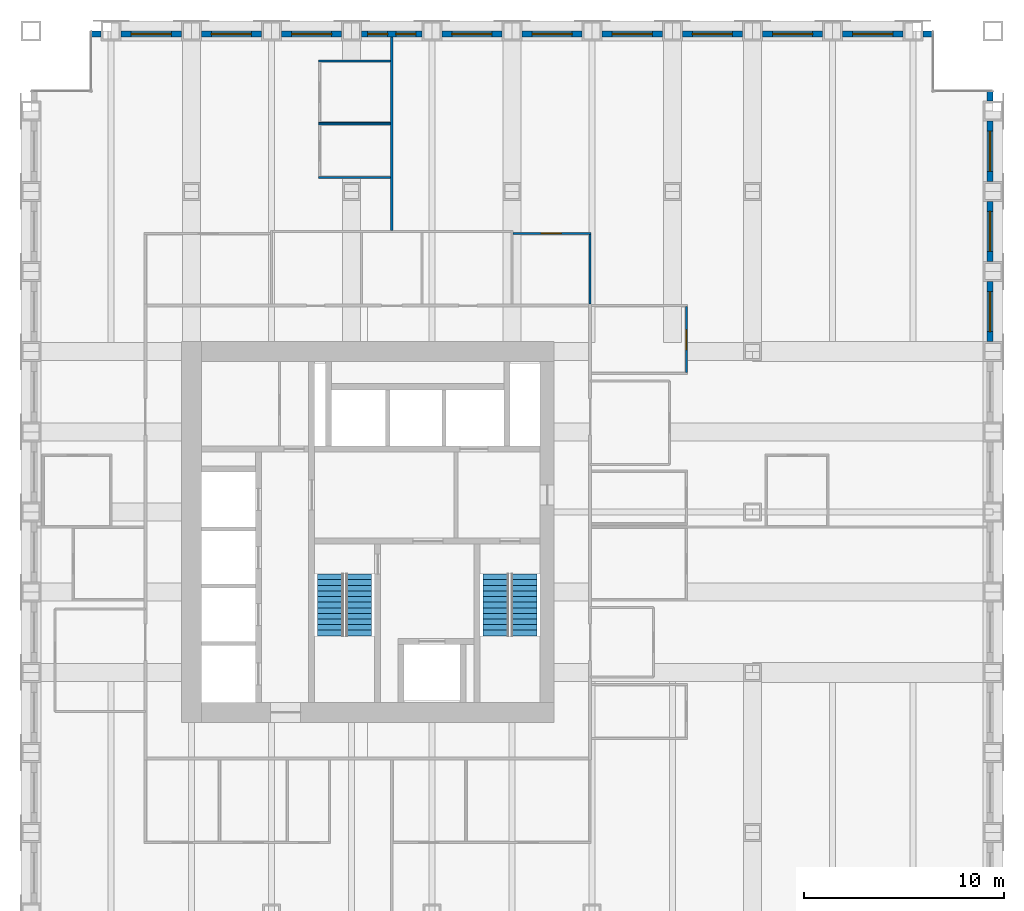
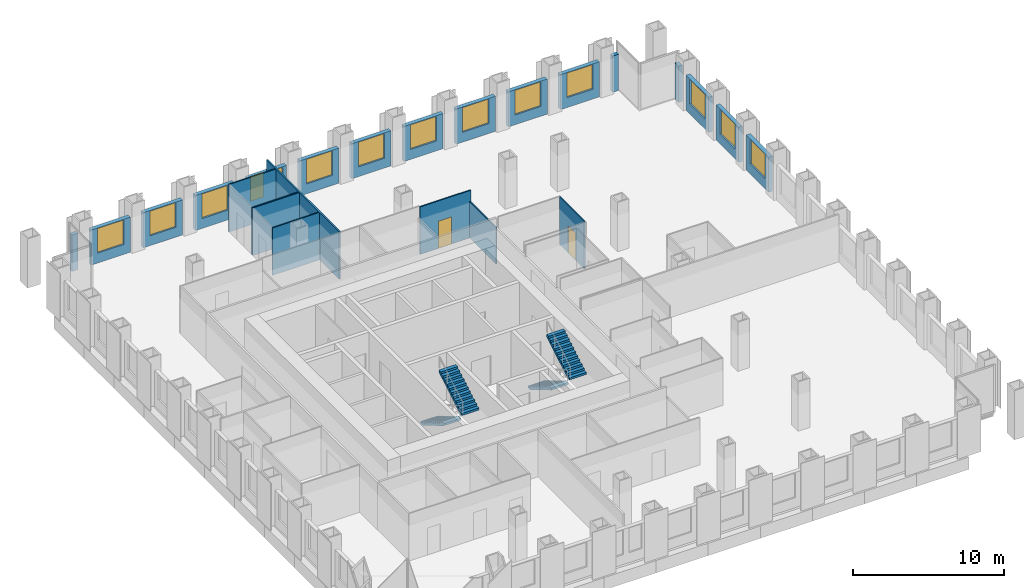
# One storey, part 14 of 16: 24 walls, 14 windows, 4 stair flights, 2 doors, 16 openings, 2 elements without a shape of their own.
"""IFC4 building model written with IfcOpenShell, lengths in metres."""

from ifc_helpers import new_model, si_unit, direction, frame, frame_2d, origin, place, context, subcontext, project, spatial, polyline, rectangle, outline, extrude, material, layer, layer_set, type_object, element, fill, aggregate, save


model = new_model("IFC4")

# Units and contexts
model_context = context("Model", 3, precision=1e-05, world=origin(), true_north=direction((0.0, 1.0)))
body_context = subcontext(model_context, "Body", "Model", "MODEL_VIEW")
ifc_project = project(units=[si_unit("LENGTHUNIT", "METRE"), si_unit("AREAUNIT", "SQUARE_METRE"), si_unit("VOLUMEUNIT", "CUBIC_METRE"), si_unit("PLANEANGLEUNIT", "RADIAN"), si_unit("MASSUNIT", "GRAM", prefix="KILO")], contexts=[model_context])

# Site, building, storey
site_placement = place(None, origin())
site = spatial("IfcSite", under=ifc_project, at=site_placement, CompositionType="ELEMENT")
building_placement = place(site_placement, origin())
building = spatial("IfcBuilding", under=site, at=building_placement, Name="Rimbunsela Tower", CompositionType="ELEMENT")
storey_placement = place(building_placement, frame((0.0, 0.0, 121.39990234375)))
storey = spatial("IfcBuildingStorey", under=building, at=storey_placement, Name="L29", CompositionType="ELEMENT", Elevation=121.39990234375)

# Wall, opening, door
ifc_material_1 = material(Name="Gypsum board on steel studs", Category="steel")
ifc_layer_1 = layer(ifc_material_1, 0.10009765625)
ifc_layer_set_1 = layer_set([ifc_layer_1], Name="Office partition 100")
wall_type_1 = type_object("IfcWallType", Name="Office partition 100", PredefinedType="PARTITIONING", material=ifc_layer_set_1)
wall_1_placement = place(storey_placement, frame((34.050048828125, 41.89990234375, 0.0), z_axis=(0.0, 0.0, 1.0), x_axis=(1.0, 0.0, 0.0)))
wall_1 = element("IfcWall", 1, at=wall_1_placement, inside=storey, type_object=wall_type_1, Name="Office partition", PredefinedType="PARTITIONING", context=body_context, shape_type="SweptSolid", body=[
    extrude(rectangle(XDim=3.89990234375, YDim=0.10009765625, at=frame_2d((1.949951171875, 0.0))), origin(), (0.0, 0.0, 1.0), 3.85009765625),
])
opening_1_placement = place(wall_1_placement, frame((1.39990234375, 0.0, 0.0)))
opening_1 = element("IfcOpeningElement", 2, at=opening_1_placement, cuts=wall_1, Name="Opening D17", PredefinedType="OPENING", context=body_context, shape_type="SweptSolid", body=[
    extrude(rectangle(XDim=1.0, YDim=2.199951171875, at=frame_2d((0.5, 1.10009765625))), frame((0.0, 0.06005859375, 0.0), z_axis=(0.0, -1.0, 0.0), x_axis=(1.0, 0.0, 0.0)), (0.0, 0.0, 1.0), 0.1201171875),
])
ifc_material_2 = material(Name="Glazed aluminium door", Category="aluminium")
door_type_1 = type_object("IfcDoorType", Name="Meeting room door 1000 glazed", OperationType="SINGLE_SWING_RIGHT", PredefinedType="DOOR", material=ifc_material_2)
door_1_placement = place(opening_1_placement, origin())
door_1 = element("IfcDoor", 3, at=door_1_placement, inside=storey, type_object=door_type_1, Name="Meeting room door", OperationType="SINGLE_SWING_RIGHT", OverallHeight=2.199951171875, OverallWidth=1.0, PredefinedType="DOOR", context=body_context, shape_type="SweptSolid", body=[
    extrude(rectangle(XDim=1.0, YDim=2.199951171875, at=frame_2d((0.5, 1.10009765625))), frame((0.0, 0.02490234375, 0.0), z_axis=(0.0, -1.0, 0.0), x_axis=(1.0, 0.0, 0.0)), (0.0, 0.0, 1.0), 0.050048828125),
])
fill(opening_1, door_1)

# Walls
for number, where, z_axis, x_axis, name in (
    (4, (24.35009765625, 44.699951171875, 0.0), (0.0, 0.0, 1.0), (1.0, 0.0, 0.0), "Office partition"),
    (5, (24.35009765625, 47.35009765625, 0.0), (0.0, 0.0, 1.0), (1.0, 0.0, 0.0), "Office partition"),
    (6, (24.35009765625, 47.39990234375, 0.0), (0.0, 0.0, 1.0), (1.0, 0.0, 0.0), "Office partition"),
    (7, (24.35009765625, 50.5, 0.0), (0.0, 0.0, 1.0), (1.0, 0.0, 0.0), "Office partition"),
):
    element("IfcWall", number, at=place(storey_placement, frame(where, z_axis=z_axis, x_axis=x_axis)), inside=storey, type_object=wall_type_1, Name=name, PredefinedType="PARTITIONING", context=body_context, shape_type="SweptSolid", body=[
        extrude(rectangle(XDim=3.58984375, YDim=0.10009765625, at=frame_2d((1.794921875, 0.0))), origin(), (0.0, 0.0, 1.0), 3.85009765625),
    ])
wall_2_placement = place(storey_placement, frame((37.89990234375, 38.375, 0.0), z_axis=(0.0, 0.0, 1.0), x_axis=(0.0, 1.0, 0.0)))
element("IfcWall", 8, at=wall_2_placement, inside=storey, type_object=wall_type_1, Name="Office partition", PredefinedType="PARTITIONING", context=body_context, shape_type="SweptSolid", body=[
    extrude(rectangle(XDim=3.47509765625, YDim=0.10009765625, at=frame_2d((1.737548828125, 0.0))), origin(), (0.0, 0.0, 1.0), 2.9501953125),
])

# Wall, opening, door
wall_3_placement = place(storey_placement, frame((42.699951171875, 34.949951171875, 0.0), z_axis=(0.0, 0.0, 1.0), x_axis=(0.0, 1.0, 0.0)))
wall_3 = element("IfcWall", 9, at=wall_3_placement, inside=storey, type_object=wall_type_1, Name="Office partition", PredefinedType="PARTITIONING", context=body_context, shape_type="SweptSolid", body=[
    extrude(rectangle(XDim=3.300048828125, YDim=0.10009765625, at=frame_2d((1.64990234375, 0.0))), origin(), (0.0, 0.0, 1.0), 3.85009765625),
])
opening_2_placement = place(wall_3_placement, frame((1.14990234375, 0.0, 0.0)))
opening_2 = element("IfcOpeningElement", 10, at=opening_2_placement, cuts=wall_3, Name="Opening D16", PredefinedType="OPENING", context=body_context, shape_type="SweptSolid", body=[
    extrude(rectangle(XDim=1.0, YDim=2.199951171875, at=frame_2d((0.5, 1.10009765625))), frame((0.0, 0.06005859375, 0.0), z_axis=(0.0, -1.0, 0.0), x_axis=(1.0, 0.0, 0.0)), (0.0, 0.0, 1.0), 0.1201171875),
])
ifc_material_3 = material(Name="Timber door", Category="wood")
door_type_2 = type_object("IfcDoorType", Name="Office door 1000", OperationType="SINGLE_SWING_LEFT", PredefinedType="DOOR", material=ifc_material_3)
door_2_placement = place(opening_2_placement, origin())
door_2 = element("IfcDoor", 11, at=door_2_placement, inside=storey, type_object=door_type_2, Name="Office door", OperationType="SINGLE_SWING_LEFT", OverallHeight=2.199951171875, OverallWidth=1.0, PredefinedType="DOOR", context=body_context, shape_type="SweptSolid", body=[
    extrude(rectangle(XDim=1.0, YDim=2.199951171875, at=frame_2d((0.5, 1.10009765625))), frame((0.0, 0.02490234375, 0.0), z_axis=(0.0, -1.0, 0.0), x_axis=(1.0, 0.0, 0.0)), (0.0, 0.0, 1.0), 0.050048828125),
])
fill(opening_2, door_2)

# Wall, opening, window
ifc_material_4 = material(Name="Precast concrete fc' 35 MPa", Category="concrete")
ifc_layer_2 = layer(ifc_material_4, 0.300048828125)
ifc_layer_set_2 = layer_set([ifc_layer_2], Name="Precast concrete fc' 35 MPa")
wall_type_2 = type_object("IfcWallType", Name="Precast facade panel 300", PredefinedType="ELEMENTEDWALL", material=ifc_layer_set_2)
wall_4_placement = place(storey_placement, frame((57.85009765625, 36.5, 0.0), z_axis=(0.0, 0.0, 1.0), x_axis=(0.0, 1.0, 0.0)))
wall_4 = element("IfcWall", 12, at=wall_4_placement, inside=storey, type_object=wall_type_2, Name="Facade panel E L29", PredefinedType="ELEMENTEDWALL", context=body_context, shape_type="SweptSolid", body=[
    extrude(rectangle(XDim=3.0, YDim=0.300048828125, at=frame_2d((1.5, 0.0))), origin(), (0.0, 0.0, 1.0), 2.85009765625),
])
opening_3_placement = place(wall_4_placement, frame((0.5, 0.0, 0.800048828125)))
opening_3 = element("IfcOpeningElement", 13, at=opening_3_placement, cuts=wall_4, Name="Opening W1", PredefinedType="OPENING", context=body_context, shape_type="SweptSolid", body=[
    extrude(rectangle(XDim=2.0, YDim=2.0, at=frame_2d((1.0, 1.0))), frame((0.0, 0.159912109375, 0.0), z_axis=(0.0, -1.0, 0.0), x_axis=(1.0, 0.0, 0.0)), (0.0, 0.0, 1.0), 0.320068359375),
])
ifc_material_5 = material(Name="Clear glass in aluminium frame", Category="aluminium")
window_type_1 = type_object("IfcWindowType", Name="Window W1 2000x2000", PartitioningType="DOUBLE_PANEL_VERTICAL", PredefinedType="WINDOW", material=ifc_material_5)
window_1_placement = place(opening_3_placement, origin())
window_1 = element("IfcWindow", 14, at=window_1_placement, inside=storey, type_object=window_type_1, Name="Window L29", OverallHeight=2.0, OverallWidth=2.0, PartitioningType="SINGLE_PANEL", PredefinedType="WINDOW", context=body_context, shape_type="SweptSolid", body=[
    extrude(rectangle(XDim=2.0, YDim=2.0, at=frame_2d((1.0, 1.0))), frame((0.0, 0.030029296875, 0.0), z_axis=(0.0, -1.0, 0.0), x_axis=(1.0, 0.0, 0.0)), (0.0, 0.0, 1.0), 0.06005859375),
])
fill(opening_3, window_1)

wall_5_placement = place(storey_placement, frame((57.85009765625, 40.5, 0.0), z_axis=(0.0, 0.0, 1.0), x_axis=(0.0, 1.0, 0.0)))
wall_5 = element("IfcWall", 15, at=wall_5_placement, inside=storey, type_object=wall_type_2, Name="Facade panel E L29", PredefinedType="ELEMENTEDWALL", context=body_context, shape_type="SweptSolid", body=[
    extrude(rectangle(XDim=3.0, YDim=0.300048828125, at=frame_2d((1.5, 0.0))), origin(), (0.0, 0.0, 1.0), 2.85009765625),
])
opening_4_placement = place(wall_5_placement, frame((0.5, 0.0, 0.800048828125)))
opening_4 = element("IfcOpeningElement", 16, at=opening_4_placement, cuts=wall_5, Name="Opening W1", PredefinedType="OPENING", context=body_context, shape_type="SweptSolid", body=[
    extrude(rectangle(XDim=2.0, YDim=2.0, at=frame_2d((1.0, 1.0))), frame((0.0, 0.159912109375, 0.0), z_axis=(0.0, -1.0, 0.0), x_axis=(1.0, 0.0, 0.0)), (0.0, 0.0, 1.0), 0.320068359375),
])
window_2_placement = place(opening_4_placement, origin())
window_2 = element("IfcWindow", 17, at=window_2_placement, inside=storey, type_object=window_type_1, Name="Window L29", OverallHeight=2.0, OverallWidth=2.0, PartitioningType="SINGLE_PANEL", PredefinedType="WINDOW", context=body_context, shape_type="SweptSolid", body=[
    extrude(rectangle(XDim=2.0, YDim=2.0, at=frame_2d((1.0, 1.0))), frame((0.0, 0.030029296875, 0.0), z_axis=(0.0, -1.0, 0.0), x_axis=(1.0, 0.0, 0.0)), (0.0, 0.0, 1.0), 0.06005859375),
])
fill(opening_4, window_2)

wall_6_placement = place(storey_placement, frame((57.85009765625, 44.5, 0.0), z_axis=(0.0, 0.0, 1.0), x_axis=(0.0, 1.0, 0.0)))
wall_6 = element("IfcWall", 18, at=wall_6_placement, inside=storey, type_object=wall_type_2, Name="Facade panel E L29", PredefinedType="ELEMENTEDWALL", context=body_context, shape_type="SweptSolid", body=[
    extrude(rectangle(XDim=3.0, YDim=0.300048828125, at=frame_2d((1.5, 0.0))), origin(), (0.0, 0.0, 1.0), 2.85009765625),
])
opening_5_placement = place(wall_6_placement, frame((0.5, 0.0, 0.800048828125)))
opening_5 = element("IfcOpeningElement", 19, at=opening_5_placement, cuts=wall_6, Name="Opening W1", PredefinedType="OPENING", context=body_context, shape_type="SweptSolid", body=[
    extrude(rectangle(XDim=2.0, YDim=2.0, at=frame_2d((1.0, 1.0))), frame((0.0, 0.159912109375, 0.0), z_axis=(0.0, -1.0, 0.0), x_axis=(1.0, 0.0, 0.0)), (0.0, 0.0, 1.0), 0.320068359375),
])
window_3_placement = place(opening_5_placement, origin())
window_3 = element("IfcWindow", 20, at=window_3_placement, inside=storey, type_object=window_type_1, Name="Window L29", OverallHeight=2.0, OverallWidth=2.0, PartitioningType="SINGLE_PANEL", PredefinedType="WINDOW", context=body_context, shape_type="SweptSolid", body=[
    extrude(rectangle(XDim=2.0, YDim=2.0, at=frame_2d((1.0, 1.0))), frame((0.0, 0.030029296875, 0.0), z_axis=(0.0, -1.0, 0.0), x_axis=(1.0, 0.0, 0.0)), (0.0, 0.0, 1.0), 0.06005859375),
])
fill(opening_5, window_3)

# Walls
for number, where, z_axis, x_axis, name in (
    (21, (57.85009765625, 48.5, 0.0), (0.0, 0.0, 1.0), (0.0, 1.0, 0.0), "Facade panel E L29"),
    (22, (13.5, 51.85009765625, 0.0), (0.0, 0.0, 1.0), (-1.0, 0.0, 0.0), "Facade panel N L29"),
):
    element("IfcWall", number, at=place(storey_placement, frame(where, z_axis=z_axis, x_axis=x_axis)), inside=storey, type_object=wall_type_2, Name=name, PredefinedType="ELEMENTEDWALL", context=body_context, shape_type="SweptSolid", body=[
        extrude(rectangle(XDim=0.469970703125, YDim=0.300048828125, at=frame_2d((0.23486328125, 0.0))), origin(), (0.0, 0.0, 1.0), 2.9501953125),
    ])

# Wall, opening, window
wall_7_placement = place(storey_placement, frame((17.5, 51.85009765625, 0.0), z_axis=(0.0, 0.0, 1.0), x_axis=(-1.0, 0.0, 0.0)))
wall_7 = element("IfcWall", 23, at=wall_7_placement, inside=storey, type_object=wall_type_2, Name="Facade panel N L29", PredefinedType="ELEMENTEDWALL", context=body_context, shape_type="SweptSolid", body=[
    extrude(rectangle(XDim=3.0, YDim=0.300048828125, at=frame_2d((1.5, 0.0))), origin(), (0.0, 0.0, 1.0), 2.85009765625),
])
opening_6_placement = place(wall_7_placement, frame((0.5, 0.0, 0.800048828125)))
opening_6 = element("IfcOpeningElement", 24, at=opening_6_placement, cuts=wall_7, Name="Opening W1", PredefinedType="OPENING", context=body_context, shape_type="SweptSolid", body=[
    extrude(rectangle(XDim=2.0, YDim=2.0, at=frame_2d((1.0, 1.0))), frame((0.0, 0.159912109375, 0.0), z_axis=(0.0, -1.0, 0.0), x_axis=(1.0, 0.0, 0.0)), (0.0, 0.0, 1.0), 0.320068359375),
])
window_4_placement = place(opening_6_placement, origin())
window_4 = element("IfcWindow", 25, at=window_4_placement, inside=storey, type_object=window_type_1, Name="Window L29", OverallHeight=2.0, OverallWidth=2.0, PartitioningType="SINGLE_PANEL", PredefinedType="WINDOW", context=body_context, shape_type="SweptSolid", body=[
    extrude(rectangle(XDim=2.0, YDim=2.0, at=frame_2d((1.0, 1.0))), frame((0.0, 0.030029296875, 0.0), z_axis=(0.0, -1.0, 0.0), x_axis=(1.0, 0.0, 0.0)), (0.0, 0.0, 1.0), 0.06005859375),
])
fill(opening_6, window_4)

wall_8_placement = place(storey_placement, frame((21.5, 51.85009765625, 0.0), z_axis=(0.0, 0.0, 1.0), x_axis=(-1.0, 0.0, 0.0)))
wall_8 = element("IfcWall", 26, at=wall_8_placement, inside=storey, type_object=wall_type_2, Name="Facade panel N L29", PredefinedType="ELEMENTEDWALL", context=body_context, shape_type="SweptSolid", body=[
    extrude(rectangle(XDim=3.0, YDim=0.300048828125, at=frame_2d((1.5, 0.0))), origin(), (0.0, 0.0, 1.0), 2.85009765625),
])
opening_7_placement = place(wall_8_placement, frame((0.5, 0.0, 0.800048828125)))
opening_7 = element("IfcOpeningElement", 27, at=opening_7_placement, cuts=wall_8, Name="Opening W1", PredefinedType="OPENING", context=body_context, shape_type="SweptSolid", body=[
    extrude(rectangle(XDim=2.0, YDim=2.0, at=frame_2d((1.0, 1.0))), frame((0.0, 0.159912109375, 0.0), z_axis=(0.0, -1.0, 0.0), x_axis=(1.0, 0.0, 0.0)), (0.0, 0.0, 1.0), 0.320068359375),
])
window_5_placement = place(opening_7_placement, origin())
window_5 = element("IfcWindow", 28, at=window_5_placement, inside=storey, type_object=window_type_1, Name="Window L29", OverallHeight=2.0, OverallWidth=2.0, PartitioningType="SINGLE_PANEL", PredefinedType="WINDOW", context=body_context, shape_type="SweptSolid", body=[
    extrude(rectangle(XDim=2.0, YDim=2.0, at=frame_2d((1.0, 1.0))), frame((0.0, 0.030029296875, 0.0), z_axis=(0.0, -1.0, 0.0), x_axis=(1.0, 0.0, 0.0)), (0.0, 0.0, 1.0), 0.06005859375),
])
fill(opening_7, window_5)

wall_9_placement = place(storey_placement, frame((25.5, 51.85009765625, 0.0), z_axis=(0.0, 0.0, 1.0), x_axis=(-1.0, 0.0, 0.0)))
wall_9 = element("IfcWall", 29, at=wall_9_placement, inside=storey, type_object=wall_type_2, Name="Facade panel N L29", PredefinedType="ELEMENTEDWALL", context=body_context, shape_type="SweptSolid", body=[
    extrude(rectangle(XDim=3.0, YDim=0.300048828125, at=frame_2d((1.5, 0.0))), origin(), (0.0, 0.0, 1.0), 2.85009765625),
])
opening_8_placement = place(wall_9_placement, frame((0.5, 0.0, 0.800048828125)))
opening_8 = element("IfcOpeningElement", 30, at=opening_8_placement, cuts=wall_9, Name="Opening W1", PredefinedType="OPENING", context=body_context, shape_type="SweptSolid", body=[
    extrude(rectangle(XDim=2.0, YDim=2.0, at=frame_2d((1.0, 1.0))), frame((0.0, 0.159912109375, 0.0), z_axis=(0.0, -1.0, 0.0), x_axis=(1.0, 0.0, 0.0)), (0.0, 0.0, 1.0), 0.320068359375),
])
window_6_placement = place(opening_8_placement, origin())
window_6 = element("IfcWindow", 31, at=window_6_placement, inside=storey, type_object=window_type_1, Name="Window L29", OverallHeight=2.0, OverallWidth=2.0, PartitioningType="SINGLE_PANEL", PredefinedType="WINDOW", context=body_context, shape_type="SweptSolid", body=[
    extrude(rectangle(XDim=2.0, YDim=2.0, at=frame_2d((1.0, 1.0))), frame((0.0, 0.030029296875, 0.0), z_axis=(0.0, -1.0, 0.0), x_axis=(1.0, 0.0, 0.0)), (0.0, 0.0, 1.0), 0.06005859375),
])
fill(opening_8, window_6)

# Wall, openings, windows
wall_10_placement = place(storey_placement, frame((29.5, 51.85009765625, 0.0), z_axis=(0.0, 0.0, 1.0), x_axis=(-1.0, 0.0, 0.0)))
wall_10 = element("IfcWall", 32, at=wall_10_placement, inside=storey, type_object=wall_type_2, Name="Facade panel N L29", PredefinedType="ELEMENTEDWALL", context=body_context, shape_type="SweptSolid", body=[
    extrude(rectangle(XDim=3.0, YDim=0.300048828125, at=frame_2d((1.5, 0.0))), origin(), (0.0, 0.0, 1.0), 2.85009765625),
])
opening_9_placement = place(wall_10_placement, frame((1.699951171875, 0.0, 0.800048828125)))
opening_9 = element("IfcOpeningElement", 33, at=opening_9_placement, cuts=wall_10, Name="Opening W5", PredefinedType="OPENING", context=body_context, shape_type="SweptSolid", body=[
    extrude(rectangle(XDim=1.0, YDim=2.0, at=frame_2d((0.5, 1.0))), frame((0.0, 0.159912109375, 0.0), z_axis=(0.0, -1.0, 0.0), x_axis=(1.0, 0.0, 0.0)), (0.0, 0.0, 1.0), 0.320068359375),
])
opening_10_placement = place(wall_10_placement, frame((0.300048828125, 0.0, 0.800048828125)))
opening_10 = element("IfcOpeningElement", 34, at=opening_10_placement, cuts=wall_10, Name="Opening W5", PredefinedType="OPENING", context=body_context, shape_type="SweptSolid", body=[
    extrude(rectangle(XDim=1.0, YDim=2.0, at=frame_2d((0.5, 1.0))), frame((0.0, 0.159912109375, 0.0), z_axis=(0.0, -1.0, 0.0), x_axis=(1.0, 0.0, 0.0)), (0.0, 0.0, 1.0), 0.320068359375),
])
ifc_material_6 = material(Name="Clear glass in aluminium frame", Category="aluminium")
window_type_2 = type_object("IfcWindowType", Name="Window W5 1000x2000", PartitioningType="SINGLE_PANEL", PredefinedType="WINDOW", material=ifc_material_6)
window_7_placement = place(opening_9_placement, origin())
window_7 = element("IfcWindow", 35, at=window_7_placement, inside=storey, type_object=window_type_2, Name="Window L29", OverallHeight=2.0, OverallWidth=1.0, PartitioningType="SINGLE_PANEL", PredefinedType="WINDOW", context=body_context, shape_type="SweptSolid", body=[
    extrude(rectangle(XDim=1.0, YDim=2.0, at=frame_2d((0.5, 1.0))), frame((0.0, 0.030029296875, 0.0), z_axis=(0.0, -1.0, 0.0), x_axis=(1.0, 0.0, 0.0)), (0.0, 0.0, 1.0), 0.06005859375),
])
fill(opening_9, window_7)
window_8_placement = place(opening_10_placement, origin())
window_8 = element("IfcWindow", 36, at=window_8_placement, inside=storey, type_object=window_type_2, Name="Window L29", OverallHeight=2.0, OverallWidth=1.0, PartitioningType="SINGLE_PANEL", PredefinedType="WINDOW", context=body_context, shape_type="SweptSolid", body=[
    extrude(rectangle(XDim=1.0, YDim=2.0, at=frame_2d((0.5, 1.0))), frame((0.0, 0.030029296875, 0.0), z_axis=(0.0, -1.0, 0.0), x_axis=(1.0, 0.0, 0.0)), (0.0, 0.0, 1.0), 0.06005859375),
])
fill(opening_10, window_8)

# Wall, opening, window
wall_11_placement = place(storey_placement, frame((33.5, 51.85009765625, 0.0), z_axis=(0.0, 0.0, 1.0), x_axis=(-1.0, 0.0, 0.0)))
wall_11 = element("IfcWall", 37, at=wall_11_placement, inside=storey, type_object=wall_type_2, Name="Facade panel N L29", PredefinedType="ELEMENTEDWALL", context=body_context, shape_type="SweptSolid", body=[
    extrude(rectangle(XDim=3.0, YDim=0.300048828125, at=frame_2d((1.5, 0.0))), origin(), (0.0, 0.0, 1.0), 2.85009765625),
])
opening_11_placement = place(wall_11_placement, frame((0.5, 0.0, 0.800048828125)))
opening_11 = element("IfcOpeningElement", 38, at=opening_11_placement, cuts=wall_11, Name="Opening W1", PredefinedType="OPENING", context=body_context, shape_type="SweptSolid", body=[
    extrude(rectangle(XDim=2.0, YDim=2.0, at=frame_2d((1.0, 1.0))), frame((0.0, 0.159912109375, 0.0), z_axis=(0.0, -1.0, 0.0), x_axis=(1.0, 0.0, 0.0)), (0.0, 0.0, 1.0), 0.320068359375),
])
window_9_placement = place(opening_11_placement, origin())
window_9 = element("IfcWindow", 39, at=window_9_placement, inside=storey, type_object=window_type_1, Name="Window L29", OverallHeight=2.0, OverallWidth=2.0, PartitioningType="SINGLE_PANEL", PredefinedType="WINDOW", context=body_context, shape_type="SweptSolid", body=[
    extrude(rectangle(XDim=2.0, YDim=2.0, at=frame_2d((1.0, 1.0))), frame((0.0, 0.030029296875, 0.0), z_axis=(0.0, -1.0, 0.0), x_axis=(1.0, 0.0, 0.0)), (0.0, 0.0, 1.0), 0.06005859375),
])
fill(opening_11, window_9)

wall_12_placement = place(storey_placement, frame((37.5, 51.85009765625, 0.0), z_axis=(0.0, 0.0, 1.0), x_axis=(-1.0, 0.0, 0.0)))
wall_12 = element("IfcWall", 40, at=wall_12_placement, inside=storey, type_object=wall_type_2, Name="Facade panel N L29", PredefinedType="ELEMENTEDWALL", context=body_context, shape_type="SweptSolid", body=[
    extrude(rectangle(XDim=3.0, YDim=0.300048828125, at=frame_2d((1.5, 0.0))), origin(), (0.0, 0.0, 1.0), 2.85009765625),
])
opening_12_placement = place(wall_12_placement, frame((0.5, 0.0, 0.800048828125)))
opening_12 = element("IfcOpeningElement", 41, at=opening_12_placement, cuts=wall_12, Name="Opening W1", PredefinedType="OPENING", context=body_context, shape_type="SweptSolid", body=[
    extrude(rectangle(XDim=2.0, YDim=2.0, at=frame_2d((1.0, 1.0))), frame((0.0, 0.159912109375, 0.0), z_axis=(0.0, -1.0, 0.0), x_axis=(1.0, 0.0, 0.0)), (0.0, 0.0, 1.0), 0.320068359375),
])
window_10_placement = place(opening_12_placement, origin())
window_10 = element("IfcWindow", 42, at=window_10_placement, inside=storey, type_object=window_type_1, Name="Window L29", OverallHeight=2.0, OverallWidth=2.0, PartitioningType="SINGLE_PANEL", PredefinedType="WINDOW", context=body_context, shape_type="SweptSolid", body=[
    extrude(rectangle(XDim=2.0, YDim=2.0, at=frame_2d((1.0, 1.0))), frame((0.0, 0.030029296875, 0.0), z_axis=(0.0, -1.0, 0.0), x_axis=(1.0, 0.0, 0.0)), (0.0, 0.0, 1.0), 0.06005859375),
])
fill(opening_12, window_10)

wall_13_placement = place(storey_placement, frame((41.5, 51.85009765625, 0.0), z_axis=(0.0, 0.0, 1.0), x_axis=(-1.0, 0.0, 0.0)))
wall_13 = element("IfcWall", 43, at=wall_13_placement, inside=storey, type_object=wall_type_2, Name="Facade panel N L29", PredefinedType="ELEMENTEDWALL", context=body_context, shape_type="SweptSolid", body=[
    extrude(rectangle(XDim=3.0, YDim=0.300048828125, at=frame_2d((1.5, 0.0))), origin(), (0.0, 0.0, 1.0), 2.85009765625),
])
opening_13_placement = place(wall_13_placement, frame((0.5, 0.0, 0.800048828125)))
opening_13 = element("IfcOpeningElement", 44, at=opening_13_placement, cuts=wall_13, Name="Opening W1", PredefinedType="OPENING", context=body_context, shape_type="SweptSolid", body=[
    extrude(rectangle(XDim=2.0, YDim=2.0, at=frame_2d((1.0, 1.0))), frame((0.0, 0.159912109375, 0.0), z_axis=(0.0, -1.0, 0.0), x_axis=(1.0, 0.0, 0.0)), (0.0, 0.0, 1.0), 0.320068359375),
])
window_11_placement = place(opening_13_placement, origin())
window_11 = element("IfcWindow", 45, at=window_11_placement, inside=storey, type_object=window_type_1, Name="Window L29", OverallHeight=2.0, OverallWidth=2.0, PartitioningType="SINGLE_PANEL", PredefinedType="WINDOW", context=body_context, shape_type="SweptSolid", body=[
    extrude(rectangle(XDim=2.0, YDim=2.0, at=frame_2d((1.0, 1.0))), frame((0.0, 0.030029296875, 0.0), z_axis=(0.0, -1.0, 0.0), x_axis=(1.0, 0.0, 0.0)), (0.0, 0.0, 1.0), 0.06005859375),
])
fill(opening_13, window_11)

wall_14_placement = place(storey_placement, frame((45.5, 51.85009765625, 0.0), z_axis=(0.0, 0.0, 1.0), x_axis=(-1.0, 0.0, 0.0)))
wall_14 = element("IfcWall", 46, at=wall_14_placement, inside=storey, type_object=wall_type_2, Name="Facade panel N L29", PredefinedType="ELEMENTEDWALL", context=body_context, shape_type="SweptSolid", body=[
    extrude(rectangle(XDim=3.0, YDim=0.300048828125, at=frame_2d((1.5, 0.0))), origin(), (0.0, 0.0, 1.0), 2.85009765625),
])
opening_14_placement = place(wall_14_placement, frame((0.5, 0.0, 0.800048828125)))
opening_14 = element("IfcOpeningElement", 47, at=opening_14_placement, cuts=wall_14, Name="Opening W1", PredefinedType="OPENING", context=body_context, shape_type="SweptSolid", body=[
    extrude(rectangle(XDim=2.0, YDim=2.0, at=frame_2d((1.0, 1.0))), frame((0.0, 0.159912109375, 0.0), z_axis=(0.0, -1.0, 0.0), x_axis=(1.0, 0.0, 0.0)), (0.0, 0.0, 1.0), 0.320068359375),
])
window_12_placement = place(opening_14_placement, origin())
window_12 = element("IfcWindow", 48, at=window_12_placement, inside=storey, type_object=window_type_1, Name="Window L29", OverallHeight=2.0, OverallWidth=2.0, PartitioningType="SINGLE_PANEL", PredefinedType="WINDOW", context=body_context, shape_type="SweptSolid", body=[
    extrude(rectangle(XDim=2.0, YDim=2.0, at=frame_2d((1.0, 1.0))), frame((0.0, 0.030029296875, 0.0), z_axis=(0.0, -1.0, 0.0), x_axis=(1.0, 0.0, 0.0)), (0.0, 0.0, 1.0), 0.06005859375),
])
fill(opening_14, window_12)

wall_15_placement = place(storey_placement, frame((49.5, 51.85009765625, 0.0), z_axis=(0.0, 0.0, 1.0), x_axis=(-1.0, 0.0, 0.0)))
wall_15 = element("IfcWall", 49, at=wall_15_placement, inside=storey, type_object=wall_type_2, Name="Facade panel N L29", PredefinedType="ELEMENTEDWALL", context=body_context, shape_type="SweptSolid", body=[
    extrude(rectangle(XDim=3.0, YDim=0.300048828125, at=frame_2d((1.5, 0.0))), origin(), (0.0, 0.0, 1.0), 2.85009765625),
])
opening_15_placement = place(wall_15_placement, frame((0.5, 0.0, 0.800048828125)))
opening_15 = element("IfcOpeningElement", 50, at=opening_15_placement, cuts=wall_15, Name="Opening W1", PredefinedType="OPENING", context=body_context, shape_type="SweptSolid", body=[
    extrude(rectangle(XDim=2.0, YDim=2.0, at=frame_2d((1.0, 1.0))), frame((0.0, 0.159912109375, 0.0), z_axis=(0.0, -1.0, 0.0), x_axis=(1.0, 0.0, 0.0)), (0.0, 0.0, 1.0), 0.320068359375),
])
window_13_placement = place(opening_15_placement, origin())
window_13 = element("IfcWindow", 51, at=window_13_placement, inside=storey, type_object=window_type_1, Name="Window L29", OverallHeight=2.0, OverallWidth=2.0, PartitioningType="SINGLE_PANEL", PredefinedType="WINDOW", context=body_context, shape_type="SweptSolid", body=[
    extrude(rectangle(XDim=2.0, YDim=2.0, at=frame_2d((1.0, 1.0))), frame((0.0, 0.030029296875, 0.0), z_axis=(0.0, -1.0, 0.0), x_axis=(1.0, 0.0, 0.0)), (0.0, 0.0, 1.0), 0.06005859375),
])
fill(opening_15, window_13)

wall_16_placement = place(storey_placement, frame((53.5, 51.85009765625, 0.0), z_axis=(0.0, 0.0, 1.0), x_axis=(-1.0, 0.0, 0.0)))
wall_16 = element("IfcWall", 52, at=wall_16_placement, inside=storey, type_object=wall_type_2, Name="Facade panel N L29", PredefinedType="ELEMENTEDWALL", context=body_context, shape_type="SweptSolid", body=[
    extrude(rectangle(XDim=3.0, YDim=0.300048828125, at=frame_2d((1.5, 0.0))), origin(), (0.0, 0.0, 1.0), 2.85009765625),
])
opening_16_placement = place(wall_16_placement, frame((0.5, 0.0, 0.800048828125)))
opening_16 = element("IfcOpeningElement", 53, at=opening_16_placement, cuts=wall_16, Name="Opening W1", PredefinedType="OPENING", context=body_context, shape_type="SweptSolid", body=[
    extrude(rectangle(XDim=2.0, YDim=2.0, at=frame_2d((1.0, 1.0))), frame((0.0, 0.159912109375, 0.0), z_axis=(0.0, -1.0, 0.0), x_axis=(1.0, 0.0, 0.0)), (0.0, 0.0, 1.0), 0.320068359375),
])
window_14_placement = place(opening_16_placement, origin())
window_14 = element("IfcWindow", 54, at=window_14_placement, inside=storey, type_object=window_type_1, Name="Window L29", OverallHeight=2.0, OverallWidth=2.0, PartitioningType="SINGLE_PANEL", PredefinedType="WINDOW", context=body_context, shape_type="SweptSolid", body=[
    extrude(rectangle(XDim=2.0, YDim=2.0, at=frame_2d((1.0, 1.0))), frame((0.0, 0.030029296875, 0.0), z_axis=(0.0, -1.0, 0.0), x_axis=(1.0, 0.0, 0.0)), (0.0, 0.0, 1.0), 0.06005859375),
])
fill(opening_16, window_14)

# Walls
wall_17_placement = place(storey_placement, frame((54.969970703125, 51.85009765625, 0.0), z_axis=(0.0, 0.0, 1.0), x_axis=(-1.0, 0.0, 0.0)))
element("IfcWall", 55, at=wall_17_placement, inside=storey, type_object=wall_type_2, Name="Facade panel N L29", PredefinedType="ELEMENTEDWALL", context=body_context, shape_type="SweptSolid", body=[
    extrude(rectangle(XDim=0.469970703125, YDim=0.300048828125, at=frame_2d((0.23486328125, 0.0))), origin(), (0.0, 0.0, 1.0), 2.9501953125),
])
ifc_material_7 = material(Name="Gypsum board on steel studs", Category="steel")
ifc_layer_3 = layer(ifc_material_7, 0.1201171875)
ifc_layer_set_3 = layer_set([ifc_layer_3], Name="Tenancy partition 120")
wall_type_3 = type_object("IfcWallType", Name="Tenancy partition 120", PredefinedType="PARTITIONING", material=ifc_layer_set_3)
wall_18_placement = place(storey_placement, frame((28.0, 42.050048828125, 0.0), z_axis=(0.0, 0.0, 1.0), x_axis=(0.0, 1.0, 0.0)))
element("IfcWall", 56, at=wall_18_placement, inside=storey, type_object=wall_type_3, Name="Tenancy partition north", PredefinedType="PARTITIONING", context=body_context, shape_type="SweptSolid", body=[
    extrude(rectangle(XDim=9.64990234375, YDim=0.1201171875, at=frame_2d((4.824951171875, 0.0))), origin(), (0.0, 0.0, 1.0), 3.85009765625),
])

# Stair, stair flights
ifc_material_8 = material(Name="Concrete fc' 35 MPa", Category="concrete")
stair_type = type_object("IfcStairType", Name="Exit stair 24 risers", PredefinedType="HALF_TURN_STAIR", material=ifc_material_8)
stair_1_placement = place(storey_placement, origin())
stair_1 = element("IfcStair", 57, at=stair_1_placement, inside=storey, type_object=stair_type, Name="Exit stair A L29", PredefinedType="HALF_TURN_STAIR")
ifc_material_9 = material(Name="Concrete fc' 35 MPa", Category="concrete")
stair_flight_type = type_object("IfcStairFlightType", Name="Stair flight 12 risers 167", PredefinedType="STRAIGHT", material=ifc_material_9)
stair_flight_1_placement = place(storey_placement, frame((24.949951171875, 24.89990234375, 0.0), z_axis=(0.0, 0.0, 1.0), x_axis=(0.0, -1.0, 0.0)))
stair_flight_1 = element("IfcStairFlight", 58, at=stair_flight_1_placement, type_object=stair_flight_type, Name="ST-A flight 1", NumberOfRisers=12, NumberOfTreads=11, PredefinedType="STRAIGHT", RiserHeight=0.166666667, TreadLength=0.28, context=body_context, shape_type="SweptSolid", body=[
    extrude(outline(polyline([(0.0, 0.0), (0.0, 0.166748046875), (0.280029296875, 0.166748046875), (0.280029296875, 0.333251953125), (0.56005859375, 0.333251953125), (0.56005859375, 0.5), (0.840087890625, 0.5), (0.840087890625, 0.666748046875), (1.1201171875, 0.666748046875), (1.1201171875, 0.833251953125), (1.39990234375, 0.833251953125), (1.39990234375, 1.0), (1.679931640625, 1.0), (1.679931640625, 1.166748046875), (1.9599609375, 1.166748046875), (1.9599609375, 1.333251953125), (2.239990234375, 1.333251953125), (2.239990234375, 1.5), (2.52001953125, 1.5), (2.52001953125, 1.666748046875), (2.800048828125, 1.666748046875), (2.800048828125, 1.833251953125), (3.080078125, 1.833251953125), (3.080078125, 2.0), (3.080078125, 1.658935546875), (0.29296875, 0.0), (0.0, 0.0)])), frame((0.0, 0.64990234375, 0.0), z_axis=(0.0, -1.0, 0.0), x_axis=(1.0, 0.0, 0.0)), (0.0, 0.0, 1.0), 1.300048828125),
])
stair_flight_2_placement = place(storey_placement, frame((26.35009765625, 21.820068359375, 2.0), z_axis=(0.0, 0.0, 1.0), x_axis=(0.0, 1.0, 0.0)))
stair_flight_2 = element("IfcStairFlight", 59, at=stair_flight_2_placement, type_object=stair_flight_type, Name="ST-A flight 2", NumberOfRisers=12, NumberOfTreads=11, PredefinedType="STRAIGHT", RiserHeight=0.166666667, TreadLength=0.28, context=body_context, shape_type="SweptSolid", body=[
    extrude(outline(polyline([(0.0, 0.0), (0.0, 0.166748046875), (0.280029296875, 0.166748046875), (0.280029296875, 0.333251953125), (0.56005859375, 0.333251953125), (0.56005859375, 0.5), (0.840087890625, 0.5), (0.840087890625, 0.666748046875), (1.1201171875, 0.666748046875), (1.1201171875, 0.833251953125), (1.39990234375, 0.833251953125), (1.39990234375, 1.0), (1.679931640625, 1.0), (1.679931640625, 1.166748046875), (1.9599609375, 1.166748046875), (1.9599609375, 1.333251953125), (2.239990234375, 1.333251953125), (2.239990234375, 1.5), (2.52001953125, 1.5), (2.52001953125, 1.666748046875), (2.800048828125, 1.666748046875), (2.800048828125, 1.833251953125), (3.080078125, 1.833251953125), (3.080078125, 2.0), (3.080078125, 1.658935546875), (0.29296875, 0.0), (0.0, 0.0)])), frame((0.0, 0.64990234375, 0.0), z_axis=(0.0, -1.0, 0.0), x_axis=(1.0, 0.0, 0.0)), (0.0, 0.0, 1.0), 1.300048828125),
])
aggregate(stair_1, [stair_flight_1, stair_flight_2])

stair_2_placement = place(storey_placement, origin())
stair_2 = element("IfcStair", 60, at=stair_2_placement, inside=storey, type_object=stair_type, Name="Exit stair B L29", PredefinedType="HALF_TURN_STAIR")
stair_flight_3_placement = place(storey_placement, frame((33.199951171875, 24.89990234375, 0.0), z_axis=(0.0, 0.0, 1.0), x_axis=(0.0, -1.0, 0.0)))
stair_flight_3 = element("IfcStairFlight", 61, at=stair_flight_3_placement, type_object=stair_flight_type, Name="ST-B flight 1", NumberOfRisers=12, NumberOfTreads=11, PredefinedType="STRAIGHT", RiserHeight=0.166666667, TreadLength=0.28, context=body_context, shape_type="SweptSolid", body=[
    extrude(outline(polyline([(0.0, 0.0), (0.0, 0.166748046875), (0.280029296875, 0.166748046875), (0.280029296875, 0.333251953125), (0.56005859375, 0.333251953125), (0.56005859375, 0.5), (0.840087890625, 0.5), (0.840087890625, 0.666748046875), (1.1201171875, 0.666748046875), (1.1201171875, 0.833251953125), (1.39990234375, 0.833251953125), (1.39990234375, 1.0), (1.679931640625, 1.0), (1.679931640625, 1.166748046875), (1.9599609375, 1.166748046875), (1.9599609375, 1.333251953125), (2.239990234375, 1.333251953125), (2.239990234375, 1.5), (2.52001953125, 1.5), (2.52001953125, 1.666748046875), (2.800048828125, 1.666748046875), (2.800048828125, 1.833251953125), (3.080078125, 1.833251953125), (3.080078125, 2.0), (3.080078125, 1.658935546875), (0.29296875, 0.0), (0.0, 0.0)])), frame((0.0, 0.64990234375, 0.0), z_axis=(0.0, -1.0, 0.0), x_axis=(1.0, 0.0, 0.0)), (0.0, 0.0, 1.0), 1.300048828125),
])
stair_flight_4_placement = place(storey_placement, frame((34.60009765625, 21.820068359375, 2.0), z_axis=(0.0, 0.0, 1.0), x_axis=(0.0, 1.0, 0.0)))
stair_flight_4 = element("IfcStairFlight", 62, at=stair_flight_4_placement, type_object=stair_flight_type, Name="ST-B flight 2", NumberOfRisers=12, NumberOfTreads=11, PredefinedType="STRAIGHT", RiserHeight=0.166666667, TreadLength=0.28, context=body_context, shape_type="SweptSolid", body=[
    extrude(outline(polyline([(0.0, 0.0), (0.0, 0.166748046875), (0.280029296875, 0.166748046875), (0.280029296875, 0.333251953125), (0.56005859375, 0.333251953125), (0.56005859375, 0.5), (0.840087890625, 0.5), (0.840087890625, 0.666748046875), (1.1201171875, 0.666748046875), (1.1201171875, 0.833251953125), (1.39990234375, 0.833251953125), (1.39990234375, 1.0), (1.679931640625, 1.0), (1.679931640625, 1.166748046875), (1.9599609375, 1.166748046875), (1.9599609375, 1.333251953125), (2.239990234375, 1.333251953125), (2.239990234375, 1.5), (2.52001953125, 1.5), (2.52001953125, 1.666748046875), (2.800048828125, 1.666748046875), (2.800048828125, 1.833251953125), (3.080078125, 1.833251953125), (3.080078125, 2.0), (3.080078125, 1.658935546875), (0.29296875, 0.0), (0.0, 0.0)])), frame((0.0, 0.64990234375, 0.0), z_axis=(0.0, -1.0, 0.0), x_axis=(1.0, 0.0, 0.0)), (0.0, 0.0, 1.0), 1.300048828125),
])
aggregate(stair_2, [stair_flight_3, stair_flight_4])

save(model, "model.ifc")
